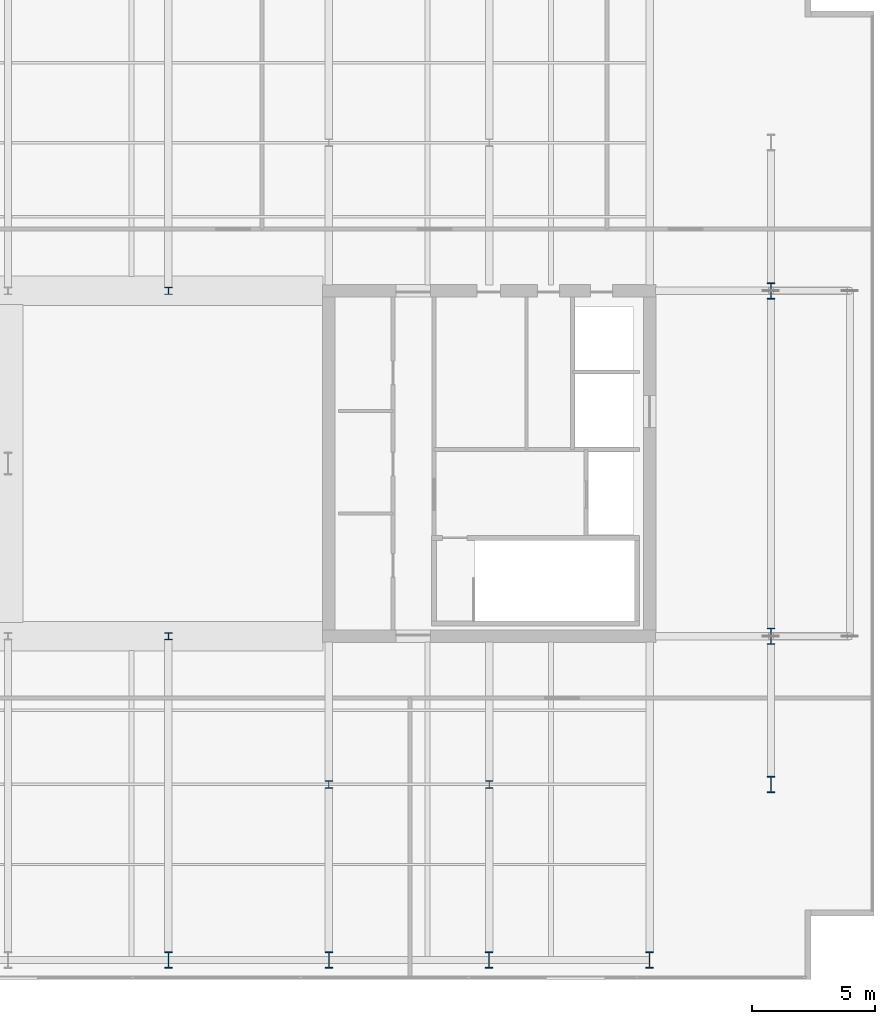
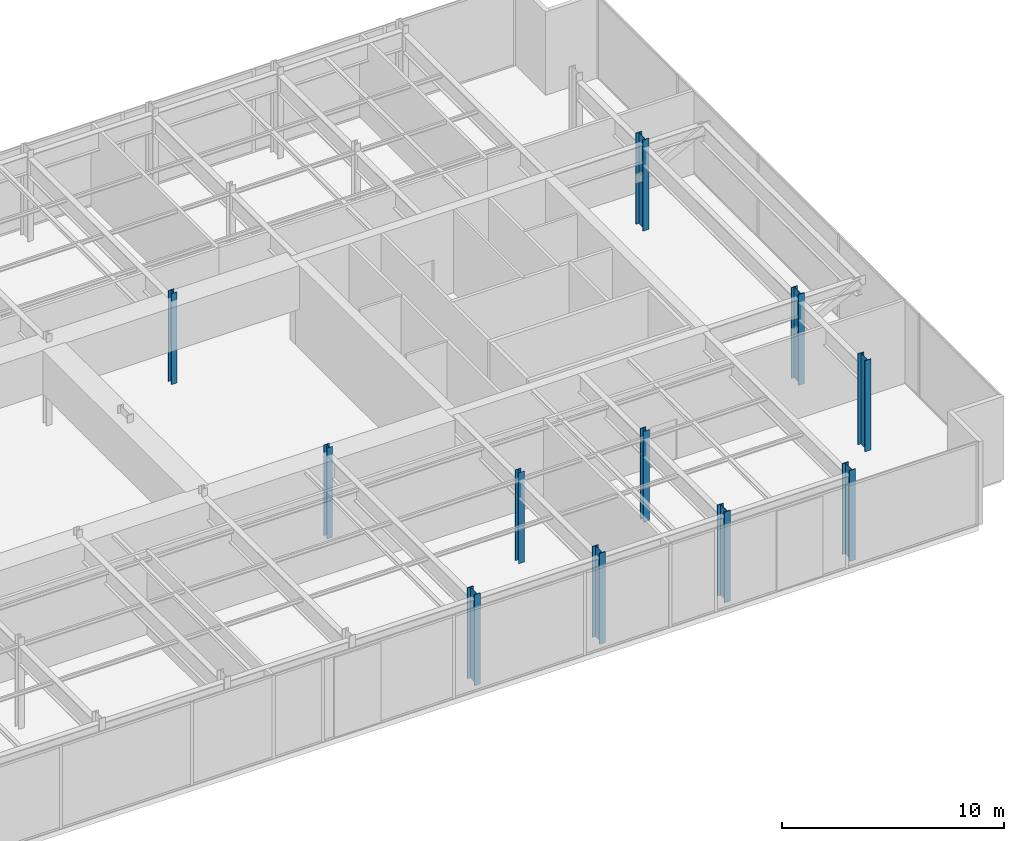
# One storey, part 2 of 21: 11 columns.
"""IFC4 building model written with IfcOpenShell, lengths in metres."""

from ifc_helpers import new_model, si_unit, direction, frame, origin, origin_2d, place, context, subcontext, project, spatial, i_section, extrude, material, material_profile, profile_set, type_object, element, save


model = new_model("IFC4")

# Units and contexts
model_context = context("Model", 3, precision=1e-05, world=origin(), true_north=direction((0.0, 1.0)))
body_context = subcontext(model_context, "Body", "Model", "MODEL_VIEW")
ifc_project = project(units=[si_unit("LENGTHUNIT", "METRE"), si_unit("AREAUNIT", "SQUARE_METRE"), si_unit("VOLUMEUNIT", "CUBIC_METRE"), si_unit("PLANEANGLEUNIT", "RADIAN"), si_unit("MASSUNIT", "GRAM", prefix="KILO")], contexts=[model_context])

# Site, building, storey
site_placement = place(None, origin())
site = spatial("IfcSite", under=ifc_project, at=site_placement, CompositionType="ELEMENT")
building_placement = place(site_placement, origin())
building = spatial("IfcBuilding", under=site, at=building_placement, Name="Putna Gate Headquarters", CompositionType="ELEMENT")
storey_placement = place(building_placement, frame((0.0, 0.0, 315.39990234375)))
storey = spatial("IfcBuildingStorey", under=building, at=storey_placement, Name="L79", CompositionType="ELEMENT", Elevation=315.39990234375)

# Columns
ifc_material = material(Name="Steel S460M", Category="steel")
ifc_material_profile_1 = material_profile(ifc_material, i_section(OverallWidth=0.300048828125, OverallDepth=0.300048828125, WebThickness=0.010986328125, FlangeThickness=0.01904296875, at=origin_2d()), Name="Steel S460M")
ifc_profile_set_1 = profile_set([ifc_material_profile_1], Name="Steel S460M")
column_type_1 = type_object("IfcColumnType", Name="COL-STL-HEB300-CRN", PredefinedType="COLUMN", material=ifc_profile_set_1)
for number, where, z_axis, x_axis, name in (
    (1, (58.5, 13.0, 0.0), (0.0, 0.0, 1.0), (1.0, 0.0, 0.0), "L79 Column CSI-ES"),
    (2, (45.5, 19.0, 0.0), (0.0, 0.0, 1.0), (1.0, 0.0, 0.0), "L79 Column CAI-S45"),
    (3, (45.5, 33.0, 0.0), (0.0, 0.0, 1.0), (1.0, 0.0, 0.0), "L79 Column CAI-N45"),
    (4, (52.0, 13.0, 0.0), (0.0, 0.0, 1.0), (1.0, 0.0, 0.0), "L79 Column CAP-ES"),
):
    element("IfcColumn", number, at=place(storey_placement, frame(where, z_axis=z_axis, x_axis=x_axis)), inside=storey, type_object=column_type_1, Name=name, PredefinedType="COLUMN", context=body_context, shape_type="SweptSolid", body=[
        extrude(i_section(OverallWidth=0.300048828125, OverallDepth=0.300048828125, WebThickness=0.010986328125, FlangeThickness=0.01904296875, at=origin_2d()), origin(), (0.0, 0.0, 1.0), 5.0),
    ])
ifc_material_profile_2 = material_profile(ifc_material, i_section(OverallWidth=0.304931640625, OverallDepth=0.66796875, WebThickness=0.02099609375, FlangeThickness=0.0400390625, at=origin_2d()), Name="Steel S460M")
ifc_profile_set_2 = profile_set([ifc_material_profile_2], Name="Steel S460M")
column_type_2 = type_object("IfcColumnType", Name="COL-STL-HEM650-EXT", PredefinedType="COLUMN", material=ifc_profile_set_2)
for number, where, z_axis, x_axis, name in (
    (5, (45.5, 5.8798828125, 0.0), (0.0, 0.0, 1.0), (1.0, 0.0, 0.0), "L79 Column CP-S45"),
    (6, (52.0, 5.8798828125, 0.0), (0.0, 0.0, 1.0), (1.0, 0.0, 0.0), "L79 Column CP-S52"),
    (7, (58.5, 5.8798828125, 0.0), (0.0, 0.0, 1.0), (1.0, 0.0, 0.0), "L79 Column CP-S58"),
    (8, (65.0, 5.8798828125, 0.0), (0.0, 0.0, 1.0), (1.0, 0.0, 0.0), "L79 Column CP-S65"),
    (9, (69.919921875, 13.0, 0.0), (0.0, 0.0, 1.0), (1.0, 0.0, 0.0), "L79 Column CP-E13"),
    (10, (69.919921875, 19.0, 0.0), (0.0, 0.0, 1.0), (1.0, 0.0, 0.0), "L79 Column CP-E19"),
    (11, (69.919921875, 33.0, 0.0), (0.0, 0.0, 1.0), (1.0, 0.0, 0.0), "L79 Column CP-E33"),
):
    element("IfcColumn", number, at=place(storey_placement, frame(where, z_axis=z_axis, x_axis=x_axis)), inside=storey, type_object=column_type_2, Name=name, PredefinedType="COLUMN", context=body_context, shape_type="SweptSolid", body=[
        extrude(i_section(OverallWidth=0.304931640625, OverallDepth=0.66796875, WebThickness=0.02099609375, FlangeThickness=0.0400390625, at=origin_2d()), origin(), (0.0, 0.0, 1.0), 5.0),
    ])

save(model, "model.ifc")
